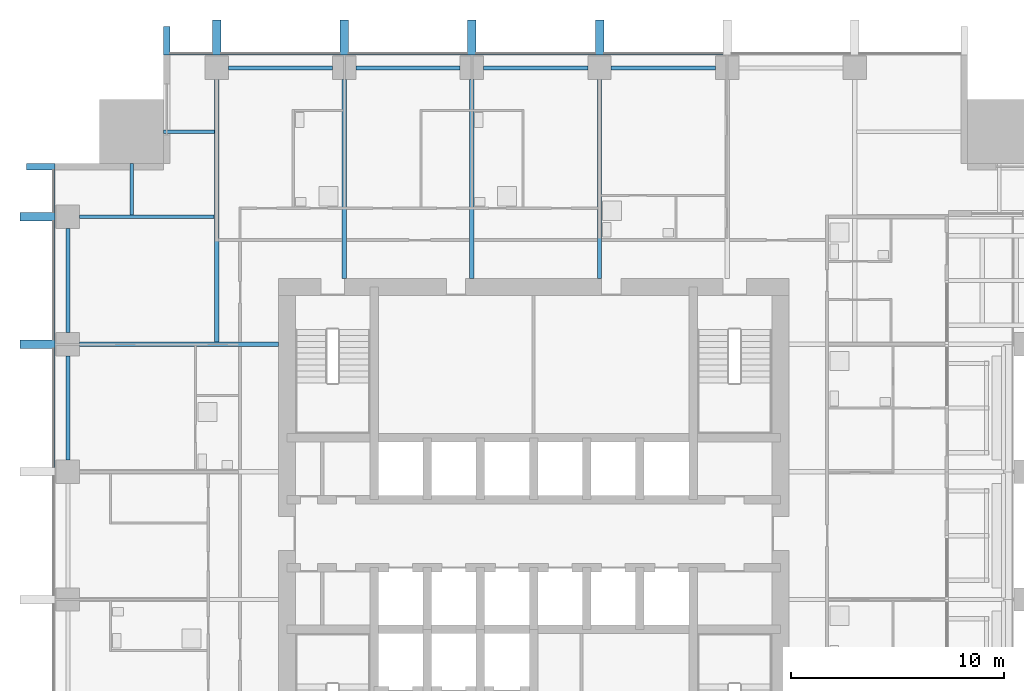
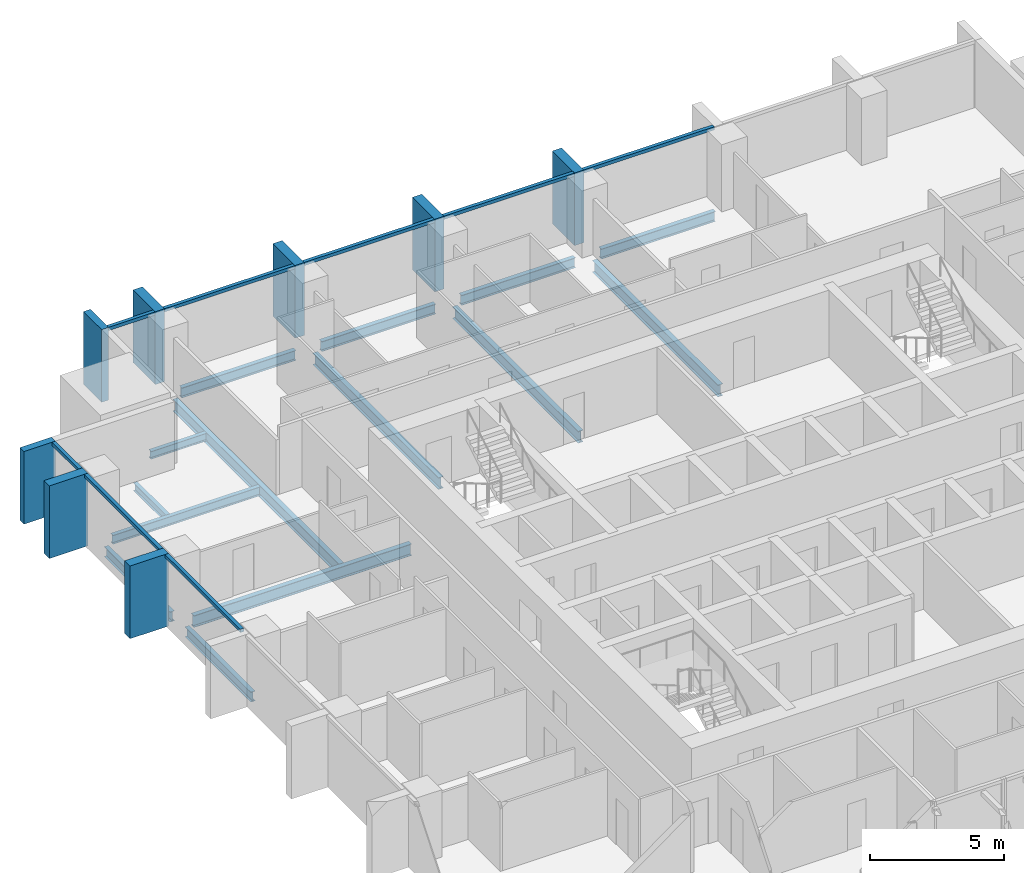
# One storey, part 4 of 16: 16 members, 14 beams, 2 elements without a shape of their own.
"""IFC4 building model written with IfcOpenShell, lengths in metres."""

from ifc_helpers import new_model, si_unit, direction, frame, origin, origin_2d, place, context, subcontext, project, spatial, rectangle, i_section, extrude, material, material_profile, profile_set, type_object, element, aggregate, save


model = new_model("IFC4")

# Units and contexts
model_context = context("Model", 3, precision=1e-05, world=origin(), true_north=direction((0.0, 1.0)))
body_context = subcontext(model_context, "Body", "Model", "MODEL_VIEW")
ifc_project = project(units=[si_unit("LENGTHUNIT", "METRE"), si_unit("AREAUNIT", "SQUARE_METRE"), si_unit("VOLUMEUNIT", "CUBIC_METRE"), si_unit("PLANEANGLEUNIT", "RADIAN"), si_unit("MASSUNIT", "GRAM", prefix="KILO")], contexts=[model_context])

# Site, building, storey
site_placement = place(None, origin())
site = spatial("IfcSite", under=ifc_project, at=site_placement, CompositionType="ELEMENT")
building_placement = place(site_placement, origin())
building = spatial("IfcBuilding", under=site, at=building_placement, Name="Amberfall Residences", CompositionType="ELEMENT")
storey_placement = place(building_placement, frame((0.0, 0.0, 108.39990234375)))
storey = spatial("IfcBuildingStorey", under=building, at=storey_placement, Name="L29", CompositionType="ELEMENT", Elevation=108.39990234375)

# Curtain wall, members
ifc_material_1 = material(Name="Bronze anodised aluminium and glass", Category="aluminium")
curtain_wall_type = type_object("IfcCurtainWallType", Name="Curtain wall CW1 tower unit", PredefinedType="USERDEFINED", material=ifc_material_1)
curtain_wall_1_placement = place(storey_placement, origin())
curtain_wall_1 = element("IfcCurtainWall", 1, at=curtain_wall_1_placement, inside=storey, type_object=curtain_wall_type, Name="Curtain wall L29 N N1", ObjectType="UNITISED CURTAIN WALL", PredefinedType="USERDEFINED")
ifc_material_2 = material(Name="Bronze anodised aluminium", Category="aluminium")
ifc_material_profile_1 = material_profile(ifc_material_2, rectangle(XDim=0.14990234375, YDim=0.14990234375, at=origin_2d()), Name="CW1 transom 150 x 150 bronze")
ifc_profile_set_1 = profile_set([ifc_material_profile_1], Name="Bronze anodised aluminium")
member_type_1 = type_object("IfcMemberType", Name="CW1 transom 150 x 150 bronze", PredefinedType="USERDEFINED", material=ifc_profile_set_1)
member_1_placement = place(storey_placement, frame((83.39990234375, 68.074951171875, 2.97509765625), z_axis=(-1.0, 0.0, 0.0), x_axis=(0.0, -1.0, 0.0)))
member_1 = element("IfcMember", 2, at=member_1_placement, type_object=member_type_1, Name="CW1 transom 3.1", ObjectType="TRANSOM", PredefinedType="USERDEFINED", context=body_context, shape_type="SweptSolid", body=[
    extrude(rectangle(XDim=0.14990234375, YDim=0.14990234375, at=origin_2d()), origin(), (0.0, 0.0, 1.0), 5.599853515625),
])
member_2_placement = place(storey_placement, frame((77.39990234375, 68.074951171875, 2.97509765625), z_axis=(-1.0, 0.0, 0.0), x_axis=(0.0, -1.0, 0.0)))
member_2 = element("IfcMember", 3, at=member_2_placement, type_object=member_type_1, Name="CW1 transom 4.1", ObjectType="TRANSOM", PredefinedType="USERDEFINED", context=body_context, shape_type="SweptSolid", body=[
    extrude(rectangle(XDim=0.14990234375, YDim=0.14990234375, at=origin_2d()), origin(), (0.0, 0.0, 1.0), 5.599853515625),
])
member_3_placement = place(storey_placement, frame((71.39990234375, 68.074951171875, 2.97509765625), z_axis=(-1.0, 0.0, 0.0), x_axis=(0.0, -1.0, 0.0)))
member_3 = element("IfcMember", 4, at=member_3_placement, type_object=member_type_1, Name="CW1 transom 5.1", ObjectType="TRANSOM", PredefinedType="USERDEFINED", context=body_context, shape_type="SweptSolid", body=[
    extrude(rectangle(XDim=0.14990234375, YDim=0.14990234375, at=origin_2d()), origin(), (0.0, 0.0, 1.0), 5.599853515625),
])
member_4_placement = place(storey_placement, frame((65.39990234375, 68.074951171875, 2.97509765625), z_axis=(-1.0, 0.0, 0.0), x_axis=(0.0, -1.0, 0.0)))
member_4 = element("IfcMember", 5, at=member_4_placement, type_object=member_type_1, Name="CW1 transom 6.1", ObjectType="TRANSOM", PredefinedType="USERDEFINED", context=body_context, shape_type="SweptSolid", body=[
    extrude(rectangle(XDim=0.14990234375, YDim=0.14990234375, at=origin_2d()), origin(), (0.0, 0.0, 1.0), 5.599853515625),
])
member_5_placement = place(storey_placement, frame((59.39990234375, 68.074951171875, 2.97509765625), z_axis=(-1.0, 0.0, 0.0), x_axis=(0.0, -1.0, 0.0)))
member_5 = element("IfcMember", 6, at=member_5_placement, type_object=member_type_1, Name="CW1 transom 7.1", ObjectType="TRANSOM", PredefinedType="USERDEFINED", context=body_context, shape_type="SweptSolid", body=[
    extrude(rectangle(XDim=0.14990234375, YDim=0.14990234375, at=origin_2d()), origin(), (0.0, 0.0, 1.0), 2.0),
])

curtain_wall_2_placement = place(storey_placement, origin())
curtain_wall_2 = element("IfcCurtainWall", 7, at=curtain_wall_2_placement, inside=storey, type_object=curtain_wall_type, Name="Curtain wall L29 W W1", ObjectType="UNITISED CURTAIN WALL", PredefinedType="USERDEFINED")
member_6_placement = place(storey_placement, frame((51.925048828125, 62.60009765625, 2.97509765625), z_axis=(0.0, -1.0, 0.0), x_axis=(1.0, 0.0, 0.0)))
member_6 = element("IfcMember", 8, at=member_6_placement, type_object=member_type_1, Name="CW1 transom 1.1", ObjectType="TRANSOM", PredefinedType="USERDEFINED", context=body_context, shape_type="SweptSolid", body=[
    extrude(rectangle(XDim=0.14990234375, YDim=0.14990234375, at=origin_2d()), origin(), (0.0, 0.0, 1.0), 2.0),
])
member_7_placement = place(storey_placement, frame((51.925048828125, 60.199951171875, 2.97509765625), z_axis=(0.0, -1.0, 0.0), x_axis=(1.0, 0.0, 0.0)))
member_7 = element("IfcMember", 9, at=member_7_placement, type_object=member_type_1, Name="CW1 transom 2.1", ObjectType="TRANSOM", PredefinedType="USERDEFINED", context=body_context, shape_type="SweptSolid", body=[
    extrude(rectangle(XDim=0.14990234375, YDim=0.14990234375, at=origin_2d()), origin(), (0.0, 0.0, 1.0), 5.599853515625),
])
member_8_placement = place(storey_placement, frame((51.925048828125, 54.199951171875, 2.97509765625), z_axis=(0.0, -1.0, 0.0), x_axis=(1.0, 0.0, 0.0)))
member_8 = element("IfcMember", 10, at=member_8_placement, type_object=member_type_1, Name="CW1 transom 3.1", ObjectType="TRANSOM", PredefinedType="USERDEFINED", context=body_context, shape_type="SweptSolid", body=[
    extrude(rectangle(XDim=0.14990234375, YDim=0.14990234375, at=origin_2d()), origin(), (0.0, 0.0, 1.0), 5.599853515625),
])

# Member
ifc_material_profile_2 = material_profile(ifc_material_2, rectangle(XDim=1.35009765625, YDim=0.300048828125, at=origin_2d()), Name="Corner fin 300 x 1350 bronze")
ifc_profile_set_2 = profile_set([ifc_material_profile_2], Name="Bronze anodised aluminium")
member_type_2 = type_object("IfcMemberType", Name="Corner fin 300 x 1350 bronze", PredefinedType="MULLION", material=ifc_profile_set_2)
member_9_placement = place(storey_placement, frame((57.25, 68.675048828125, -0.25), z_axis=(0.0, 0.0, 1.0), x_axis=(0.0, -1.0, 0.0)))
member_9 = element("IfcMember", 11, at=member_9_placement, type_object=member_type_2, Name="CW FIN 8", PredefinedType="MULLION", context=body_context, shape_type="SweptSolid", body=[
    extrude(rectangle(XDim=1.35009765625, YDim=0.300048828125, at=origin_2d()), origin(), (0.0, 0.0, 1.0), 3.300048828125),
])

member_10_placement = place(storey_placement, frame((51.324951171875, 62.75, -0.25), z_axis=(0.0, 0.0, 1.0), x_axis=(1.0, 0.0, 0.0)))
member_10 = element("IfcMember", 12, at=member_10_placement, type_object=member_type_2, Name="CW FIN 1", PredefinedType="MULLION", context=body_context, shape_type="SweptSolid", body=[
    extrude(rectangle(XDim=1.35009765625, YDim=0.300048828125, at=origin_2d()), origin(), (0.0, 0.0, 1.0), 3.300048828125),
])

# Beams
ifc_material_3 = material(Name="Steel S355", Category="steel")
ifc_material_profile_3 = material_profile(ifc_material_3, i_section(OverallWidth=0.18994140625, OverallDepth=0.453369140625, WebThickness=0.008544921875, FlangeThickness=0.0126953125, FilletRadius=0.01025390625, at=origin_2d()), Name="UB 457x191x67")
ifc_profile_set_3 = profile_set([ifc_material_profile_3], Name="Steel S355")
beam_type_1 = type_object("IfcBeamType", Name="Edge beam UB 457x191x67", PredefinedType="SPANDREL", material=ifc_profile_set_3)
for number, where, z_axis, x_axis, name in (
    (13, (60.14990234375, 67.39990234375, -0.4765625), (1.0, 0.0, 0.0), (0.0, 1.0, 0.0), "Edge beam B1 L29 27"),
    (14, (66.14990234375, 67.39990234375, -0.4765625), (1.0, 0.0, 0.0), (0.0, 1.0, 0.0), "Edge beam B1 L29 28"),
    (15, (72.14990234375, 67.39990234375, -0.4765625), (1.0, 0.0, 0.0), (0.0, 1.0, 0.0), "Edge beam B1 L29 29"),
    (16, (78.14990234375, 67.39990234375, -0.4765625), (1.0, 0.0, 0.0), (0.0, 1.0, 0.0), "Edge beam B1 L29 30"),
    (17, (52.60009765625, 48.949951171875, -0.4765625), (0.0, 1.0, 0.0), (-1.0, 0.0, 0.0), "Edge beam B1 L29 41"),
    (18, (52.60009765625, 54.949951171875, -0.4765625), (0.0, 1.0, 0.0), (-1.0, 0.0, 0.0), "Edge beam B1 L29 42"),
):
    element("IfcBeam", number, at=place(storey_placement, frame(where, z_axis=z_axis, x_axis=x_axis)), inside=storey, type_object=beam_type_1, Name=name, PredefinedType="SPANDREL", context=body_context, shape_type="SweptSolid", body=[
        extrude(i_section(OverallWidth=0.18994140625, OverallDepth=0.453369140625, WebThickness=0.008544921875, FlangeThickness=0.0126953125, FilletRadius=0.01025390625, at=origin_2d()), origin(), (0.0, 0.0, 1.0), 4.900146484375),
    ])

# Member
ifc_material_profile_4 = material_profile(ifc_material_2, rectangle(XDim=1.64990234375, YDim=0.39990234375, at=origin_2d()), Name="Fin 400 x 1650 bronze")
ifc_profile_set_4 = profile_set([ifc_material_profile_4], Name="Bronze anodised aluminium")
member_type_3 = type_object("IfcMemberType", Name="Fin 400 x 1650 bronze", PredefinedType="MULLION", material=ifc_profile_set_4)
member_11_placement = place(storey_placement, frame((77.60009765625, 68.824951171875, -0.25), z_axis=(0.0, 0.0, 1.0), x_axis=(0.0, -1.0, 0.0)))
member_11 = element("IfcMember", 19, at=member_11_placement, type_object=member_type_3, Name="CW FIN 4", PredefinedType="MULLION", context=body_context, shape_type="SweptSolid", body=[
    extrude(rectangle(XDim=1.64990234375, YDim=0.39990234375, at=origin_2d()), origin(), (0.0, 0.0, 1.0), 3.300048828125),
])

member_12_placement = place(storey_placement, frame((71.60009765625, 68.824951171875, -0.25), z_axis=(0.0, 0.0, 1.0), x_axis=(0.0, -1.0, 0.0)))
member_12 = element("IfcMember", 20, at=member_12_placement, type_object=member_type_3, Name="CW FIN 5", PredefinedType="MULLION", context=body_context, shape_type="SweptSolid", body=[
    extrude(rectangle(XDim=1.64990234375, YDim=0.39990234375, at=origin_2d()), origin(), (0.0, 0.0, 1.0), 3.300048828125),
])

member_13_placement = place(storey_placement, frame((65.60009765625, 68.824951171875, -0.25), z_axis=(0.0, 0.0, 1.0), x_axis=(0.0, -1.0, 0.0)))
member_13 = element("IfcMember", 21, at=member_13_placement, type_object=member_type_3, Name="CW FIN 6", PredefinedType="MULLION", context=body_context, shape_type="SweptSolid", body=[
    extrude(rectangle(XDim=1.64990234375, YDim=0.39990234375, at=origin_2d()), origin(), (0.0, 0.0, 1.0), 3.300048828125),
])

member_14_placement = place(storey_placement, frame((59.60009765625, 68.824951171875, -0.25), z_axis=(0.0, 0.0, 1.0), x_axis=(0.0, -1.0, 0.0)))
member_14 = element("IfcMember", 22, at=member_14_placement, type_object=member_type_3, Name="CW FIN 7", PredefinedType="MULLION", context=body_context, shape_type="SweptSolid", body=[
    extrude(rectangle(XDim=1.64990234375, YDim=0.39990234375, at=origin_2d()), origin(), (0.0, 0.0, 1.0), 3.300048828125),
])

aggregate(curtain_wall_1, [member_11, member_12, member_13, member_14, member_9, member_1, member_2, member_3, member_4, member_5])

member_15_placement = place(storey_placement, frame((51.175048828125, 60.39990234375, -0.25), z_axis=(0.0, 0.0, 1.0), x_axis=(1.0, 0.0, 0.0)))
member_15 = element("IfcMember", 23, at=member_15_placement, type_object=member_type_3, Name="CW FIN 2", PredefinedType="MULLION", context=body_context, shape_type="SweptSolid", body=[
    extrude(rectangle(XDim=1.64990234375, YDim=0.39990234375, at=origin_2d()), origin(), (0.0, 0.0, 1.0), 3.300048828125),
])

member_16_placement = place(storey_placement, frame((51.175048828125, 54.39990234375, -0.25), z_axis=(0.0, 0.0, 1.0), x_axis=(1.0, 0.0, 0.0)))
member_16 = element("IfcMember", 24, at=member_16_placement, type_object=member_type_3, Name="CW FIN 3", PredefinedType="MULLION", context=body_context, shape_type="SweptSolid", body=[
    extrude(rectangle(XDim=1.64990234375, YDim=0.39990234375, at=origin_2d()), origin(), (0.0, 0.0, 1.0), 3.300048828125),
])

aggregate(curtain_wall_2, [member_10, member_15, member_16, member_6, member_7, member_8])

# Beams
ifc_material_profile_5 = material_profile(ifc_material_3, i_section(OverallWidth=0.177734375, OverallDepth=0.402587890625, WebThickness=0.0078125, FlangeThickness=0.010986328125, FilletRadius=0.01025390625, at=origin_2d()), Name="UB 406x178x54")
ifc_profile_set_5 = profile_set([ifc_material_profile_5], Name="Steel S355")
beam_type_2 = type_object("IfcBeamType", Name="Floor girder UB 406x178x54", PredefinedType="BEAM", material=ifc_profile_set_5)
beam_1_placement = place(storey_placement, frame((53.14990234375, 60.39990234375, -0.451171875), z_axis=(1.0, 0.0, 0.0), x_axis=(0.0, 1.0, 0.0)))
element("IfcBeam", 25, at=beam_1_placement, inside=storey, type_object=beam_type_2, Name="Floor girder B4 L29 48", PredefinedType="BEAM", context=body_context, shape_type="SweptSolid", body=[
    extrude(i_section(OverallWidth=0.177734375, OverallDepth=0.402587890625, WebThickness=0.0078125, FlangeThickness=0.010986328125, FilletRadius=0.01025390625, at=origin_2d()), origin(), (0.0, 0.0, 1.0), 6.330078125),
])
ifc_material_profile_6 = material_profile(ifc_material_3, i_section(OverallWidth=0.210693359375, OverallDepth=0.53955078125, WebThickness=0.01171875, FlangeThickness=0.018798828125, FilletRadius=0.0126953125, at=origin_2d()), Name="UB 533x210x109")
ifc_profile_set_6 = profile_set([ifc_material_profile_6], Name="Steel S355")
beam_type_3 = type_object("IfcBeamType", Name="Floor girder UB 533x210x109", PredefinedType="BEAM", material=ifc_profile_set_6)
beam_2_placement = place(storey_placement, frame((59.60009765625, 66.85009765625, -0.51953125), z_axis=(0.0, -1.0, 0.0), x_axis=(1.0, 0.0, 0.0)))
element("IfcBeam", 26, at=beam_2_placement, inside=storey, type_object=beam_type_3, Name="Floor girder B2 L29 32", PredefinedType="BEAM", context=body_context, shape_type="SweptSolid", body=[
    extrude(i_section(OverallWidth=0.210693359375, OverallDepth=0.53955078125, WebThickness=0.01171875, FlangeThickness=0.018798828125, FilletRadius=0.0126953125, at=origin_2d()), origin(), (0.0, 0.0, 1.0), 12.3505859375),
])
ifc_material_profile_7 = material_profile(ifc_material_3, i_section(OverallWidth=0.209228515625, OverallDepth=0.533203125, WebThickness=0.010009765625, FlangeThickness=0.015625, FilletRadius=0.0126953125, at=origin_2d()), Name="UB 533x210x92")
ifc_profile_set_7 = profile_set([ifc_material_profile_7], Name="Steel S355")
beam_type_4 = type_object("IfcBeamType", Name="Floor girder UB 533x210x92", PredefinedType="BEAM", material=ifc_profile_set_7)
for number, where, z_axis, x_axis, name in (
    (27, (65.60009765625, 66.85009765625, -0.516357421875), (0.0, -1.0, 0.0), (1.0, 0.0, 0.0), "Floor girder B3 L29 33"),
    (28, (71.60009765625, 66.85009765625, -0.516357421875), (0.0, -1.0, 0.0), (1.0, 0.0, 0.0), "Floor girder B3 L29 34"),
    (29, (77.60009765625, 66.85009765625, -0.516357421875), (0.0, -1.0, 0.0), (1.0, 0.0, 0.0), "Floor girder B3 L29 35"),
    (30, (53.14990234375, 54.39990234375, -0.516357421875), (1.0, 0.0, 0.0), (0.0, 1.0, 0.0), "Floor girder B3 L29 47"),
):
    element("IfcBeam", number, at=place(storey_placement, frame(where, z_axis=z_axis, x_axis=x_axis)), inside=storey, type_object=beam_type_4, Name=name, PredefinedType="BEAM", context=body_context, shape_type="SweptSolid", body=[
        extrude(i_section(OverallWidth=0.209228515625, OverallDepth=0.533203125, WebThickness=0.010009765625, FlangeThickness=0.015625, FilletRadius=0.0126953125, at=origin_2d()), origin(), (0.0, 0.0, 1.0), 9.35009765625),
    ])
ifc_material_profile_8 = material_profile(ifc_material_3, i_section(OverallWidth=0.171142578125, OverallDepth=0.351318359375, WebThickness=0.007080078125, FlangeThickness=0.009765625, FilletRadius=0.01025390625, at=origin_2d()), Name="UB 356x171x45")
ifc_profile_set_8 = profile_set([ifc_material_profile_8], Name="Steel S355")
beam_type_5 = type_object("IfcBeamType", Name="Link beam UB 356x171x45", PredefinedType="BEAM", material=ifc_profile_set_8)
beam_3_placement = place(storey_placement, frame((57.10009765625, 64.39990234375, -0.425537109375), z_axis=(1.0, 0.0, 0.0), x_axis=(0.0, 1.0, 0.0)))
element("IfcBeam", 31, at=beam_3_placement, inside=storey, type_object=beam_type_5, Name="Link beam B7 L29 56", PredefinedType="BEAM", context=body_context, shape_type="SweptSolid", body=[
    extrude(i_section(OverallWidth=0.171142578125, OverallDepth=0.351318359375, WebThickness=0.007080078125, FlangeThickness=0.009765625, FilletRadius=0.01025390625, at=origin_2d()), origin(), (0.0, 0.0, 1.0), 2.404541015625),
])
beam_4_placement = place(storey_placement, frame((55.60009765625, 62.89990234375, -0.425537109375), z_axis=(0.0, -1.0, 0.0), x_axis=(1.0, 0.0, 0.0)))
element("IfcBeam", 32, at=beam_4_placement, inside=storey, type_object=beam_type_5, Name="Link beam B7 L29 57", PredefinedType="BEAM", context=body_context, shape_type="SweptSolid", body=[
    extrude(i_section(OverallWidth=0.171142578125, OverallDepth=0.351318359375, WebThickness=0.007080078125, FlangeThickness=0.009765625, FilletRadius=0.01025390625, at=origin_2d()), origin(), (0.0, 0.0, 1.0), 2.4208984375),
])

save(model, "model.ifc")
